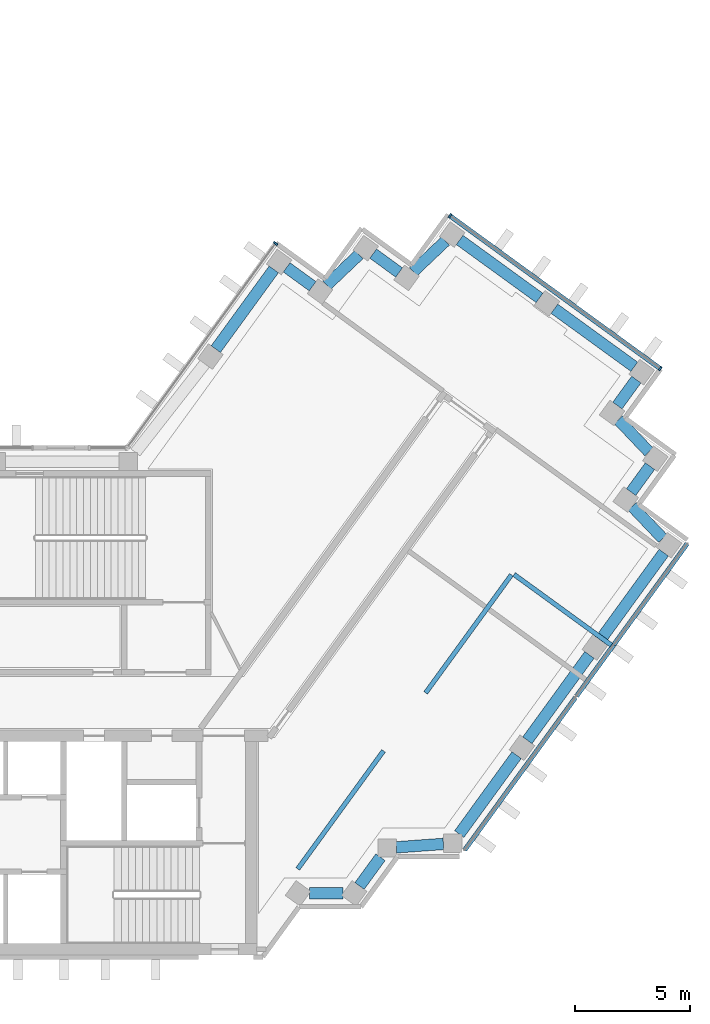
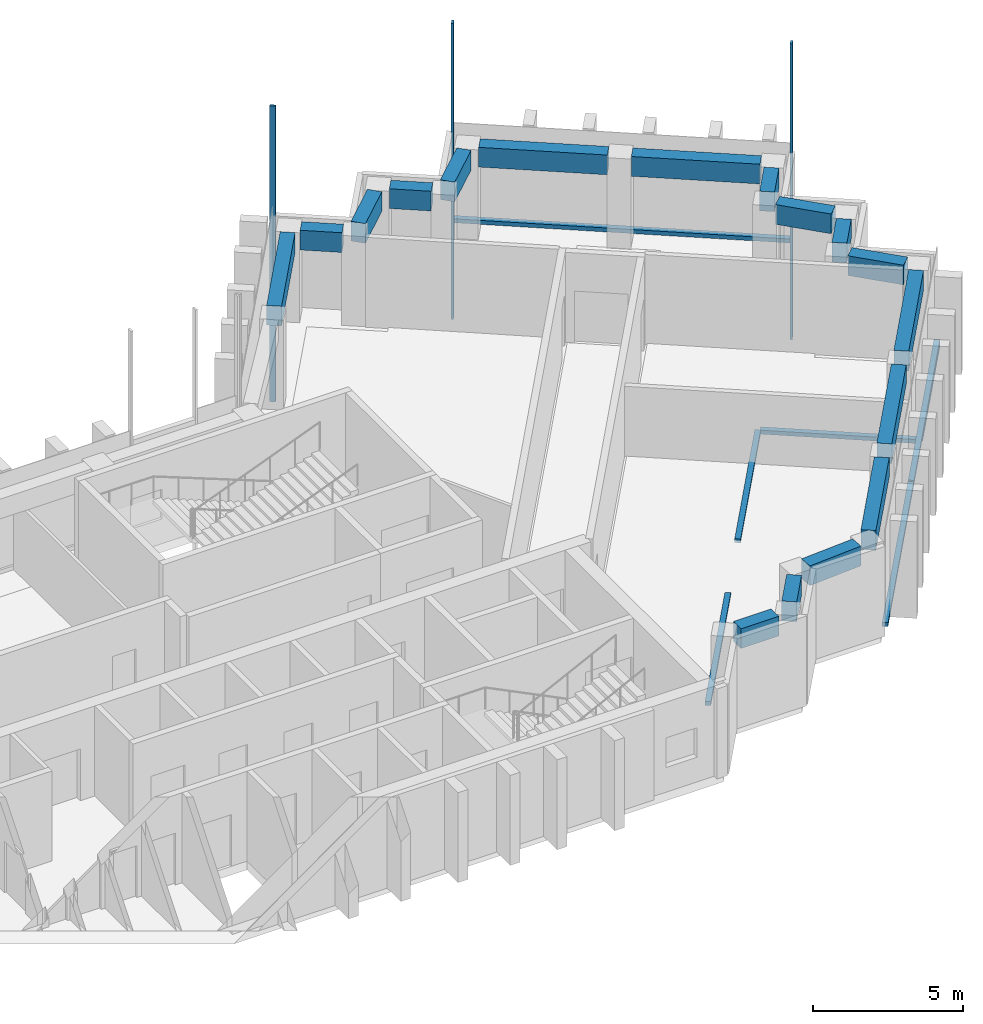
"""IFC4 building model written with IfcOpenShell, lengths in metres."""

import ifcopenshell
import ifcopenshell.guid

model = None  # the IFC model being written
_history = None  # IfcOwnerHistory: only IFC2X3 demands one
_inside = {}  # id of a spatial element -> (the spatial element, [elements in it])
_under = {}  # id of a project, library or spatial element -> (it, [spatial elements below it])
_declared = {}  # id of a project -> (the project, [libraries it declares])
_typed = {}  # id of a type object -> (the type object, [elements of that type])
_made_of = {}  # id of a material, layer set ... -> (it, [elements and type objects made of it])


def new_model(schema):
    """Start an empty IFC model of exactly this schema.

    Asked for "IFC4X3", IfcOpenShell would pick the latest addendum, in which some entities
    have other attributes; the version numbers below select the first issue.
    IFC2X3 requires an IfcOwnerHistory on every rooted entity: one is made here for all.
    """
    global model, _history
    if schema == "IFC4X3":
        model = ifcopenshell.file(schema_version=(4, 3, 0, 0))
    else:
        model = ifcopenshell.file(schema=schema)
    _inside.clear()
    _under.clear()
    _declared.clear()
    _typed.clear()
    _made_of.clear()
    _history = None
    if model.schema == "IFC2X3":
        org = make("IfcOrganization", Name="unknown")
        user = make(
            "IfcPersonAndOrganization",
            ThePerson=make("IfcPerson", FamilyName="unknown"),
            TheOrganization=org,
        )
        app = make(
            "IfcApplication",
            ApplicationDeveloper=org,
            Version="unknown",
            ApplicationFullName="unknown",
            ApplicationIdentifier="unknown",
        )
        _history = make(
            "IfcOwnerHistory",
            OwningUser=user,
            OwningApplication=app,
            ChangeAction="ADDED",
            CreationDate=0,
        )
    return model


def make(cls, **values):
    """One entity of the class cls with the attributes given. An attribute that is None is left unset."""
    return model.create_entity(
        cls, **{name: value for name, value in values.items() if value is not None}
    )


def rooted(cls, **values):
    """An entity with a GlobalId (a new one), such as an element, a storey or a relation."""
    return make(cls, GlobalId=ifcopenshell.guid.new(), OwnerHistory=_history, **values)


def si_unit(unit_type, name, prefix=None):
    """IfcSIUnit, for example si_unit("LENGTHUNIT", "METRE", prefix="MILLI")."""
    return make("IfcSIUnit", UnitType=unit_type, Prefix=prefix, Name=name)


def assignment(units):
    """IfcUnitAssignment: the units of a project."""
    return None if units is None else make("IfcUnitAssignment", Units=units)


def point(xyz):
    """IfcCartesianPoint."""
    return None if xyz is None else make("IfcCartesianPoint", Coordinates=xyz)


def direction(xyz):
    """IfcDirection."""
    return None if xyz is None else make("IfcDirection", DirectionRatios=xyz)


def frame(location, z_axis=None, x_axis=None):
    """IfcAxis2Placement3D, a coordinate frame: its origin and axes. An axis left out is left unset."""
    return make(
        "IfcAxis2Placement3D",
        Location=point(location),
        Axis=direction(z_axis),
        RefDirection=direction(x_axis),
    )


def frame_2d(location, x_axis=None):
    """IfcAxis2Placement2D, a coordinate frame in the plane: its origin and x axis."""
    return make(
        "IfcAxis2Placement2D", Location=point(location), RefDirection=direction(x_axis)
    )


def origin():
    """The frame at (0, 0, 0) with its axes left unset."""
    return frame((0.0, 0.0, 0.0))


def origin_2d():
    """The frame at (0, 0) in the plane with its x axis left unset."""
    return frame_2d((0.0, 0.0))


def place(relative_to, where):
    """IfcLocalPlacement: puts the frame where relative to a parent placement (None: the world)."""
    return make(
        "IfcLocalPlacement", PlacementRelTo=relative_to, RelativePlacement=where
    )


def context(
    kind, dimensions, precision=None, world=None, true_north=None, identifier=None
):
    """IfcGeometricRepresentationContext, for example the 3D "Model" context."""
    return make(
        "IfcGeometricRepresentationContext",
        ContextIdentifier=identifier,
        ContextType=kind,
        CoordinateSpaceDimension=dimensions,
        Precision=precision,
        WorldCoordinateSystem=world,
        TrueNorth=true_north,
    )


def subcontext(parent, identifier, kind, view, scale=None):
    """IfcGeometricRepresentationSubContext, for example "Body" below "Model"."""
    return make(
        "IfcGeometricRepresentationSubContext",
        ContextIdentifier=identifier,
        ContextType=kind,
        ParentContext=parent,
        TargetScale=scale,
        TargetView=view,
    )


def project(units=None, contexts=None):
    """IfcProject with its units and contexts."""
    return rooted(
        "IfcProject",
        Name="project",
        RepresentationContexts=contexts,
        UnitsInContext=assignment(units),
    )


def spatial(cls, under=None, at=None, **own):
    """A site, building, storey or space (cls), placed at a placement, below another one or the project."""
    s = rooted(cls, ObjectPlacement=at, **own)
    if under is not None:
        _under.setdefault(under.id(), (under, []))[1].append(s)
    return s


def profile(cls, at=None, kind="AREA", **sizes):
    """A parametric profile (cls). Its sizes go by their IFC names, for example OverallWidth=200.0."""
    return make(cls, ProfileType=kind, Position=at, **sizes)


def rectangle(**sizes):
    """IfcRectangleProfileDef."""
    return profile("IfcRectangleProfileDef", **sizes)


def extrude(swept, where, along, depth):
    """IfcExtrudedAreaSolid: the profile swept, set in the frame where, extruded along a direction by depth."""
    return make(
        "IfcExtrudedAreaSolid",
        SweptArea=swept,
        Position=where,
        ExtrudedDirection=direction(along),
        Depth=depth,
    )


def shape(context_of_items, identifier, shape_type, items):
    """IfcShapeRepresentation: the items that make up one representation, for example the "Body"."""
    return make(
        "IfcShapeRepresentation",
        ContextOfItems=context_of_items,
        RepresentationIdentifier=identifier,
        RepresentationType=shape_type,
        Items=items,
    )


def material(Name=None, Category=None):
    """IfcMaterial."""
    return make("IfcMaterial", Name=Name, Category=Category)


def material_profile(
    of_material, cross_section, Name=None, Category=None, Priority=None
):
    """IfcMaterialProfile: a cross section and its material."""
    return make(
        "IfcMaterialProfile",
        Name=Name,
        Material=of_material,
        Profile=cross_section,
        Priority=Priority,
        Category=Category,
    )


def profile_set(profiles, Name=None, composite=None):
    """IfcMaterialProfileSet."""
    return make(
        "IfcMaterialProfileSet",
        Name=Name,
        MaterialProfiles=profiles,
        CompositeProfile=composite,
    )


def made_of(thing, what):
    """Note that an element or type object is made of a material, layer set ...; save() writes the relation."""
    if what is not None:
        _made_of.setdefault(what.id(), (what, []))[1].append(thing)
    return thing


def type_object(cls, material=None, **own):
    """A type object (cls), such as IfcWallType, which elements share."""
    return made_of(rooted(cls, **own), material)


def element(
    cls,
    number,
    at=None,
    inside=None,
    cuts=None,
    type_object=None,
    material=None,
    context=None,
    identifier="Body",
    shape_type=None,
    held_by="IfcProductDefinitionShape",
    body=None,
    shapes=None,
    **own,
):
    """One element of the class cls, such as IfcWall. Its Tag is "e" and its number.

    at: its placement. inside: the storey or other place that contains it. cuts: it is an
    opening in that element (IfcRelVoidsElement). A single representation is given by context,
    identifier, shape_type and body (its items); several are given by shapes. held_by: the class
    of the entity that holds the representations. save() writes the other relations.
    """
    e = rooted(cls, Tag="e%d" % number, ObjectPlacement=at, **own)
    if body is not None:
        shapes = [shape(context, identifier, shape_type, body)]
    if shapes is not None:
        e.Representation = make(held_by, Representations=shapes)
    if inside is not None:
        _inside.setdefault(inside.id(), (inside, []))[1].append(e)
    if cuts is not None:
        rooted(
            "IfcRelVoidsElement", RelatingBuildingElement=cuts, RelatedOpeningElement=e
        )
    if type_object is not None:
        _typed.setdefault(type_object.id(), (type_object, []))[1].append(e)
    return made_of(e, material)


def aggregate(whole, parts):
    """IfcRelAggregates: a whole, such as a stair, and the parts it consists of."""
    return rooted("IfcRelAggregates", RelatingObject=whole, RelatedObjects=parts)


def save(model, path):
    """Write the relations noted so far, then the file.

    IfcRelAggregates (storeys below a building ...), IfcRelContainedInSpatialStructure (elements
    in a storey), IfcRelDefinesByType, IfcRelAssociatesMaterial and IfcRelDeclares: one each for
    every whole, place, type object, material and project.
    """
    for whole, parts in _under.values():
        aggregate(whole, parts)
    for where, things in _inside.values():
        rooted(
            "IfcRelContainedInSpatialStructure",
            RelatedElements=things,
            RelatingStructure=where,
        )
    for kind, things in _typed.values():
        rooted("IfcRelDefinesByType", RelatedObjects=things, RelatingType=kind)
    for what, things in _made_of.values():
        rooted("IfcRelAssociatesMaterial", RelatedObjects=things, RelatingMaterial=what)
    for by, libraries in _declared.values():
        rooted("IfcRelDeclares", RelatingContext=by, RelatedDefinitions=libraries)
    model.write(path)


model = new_model("IFC4")

# Units and contexts
model_context = context("Model", 3, precision=1e-05, world=origin(), true_north=direction((0.0, 1.0)))
body_context = subcontext(model_context, "Body", "Model", "MODEL_VIEW")
ifc_project = project(units=[si_unit("LENGTHUNIT", "METRE"), si_unit("AREAUNIT", "SQUARE_METRE"), si_unit("VOLUMEUNIT", "CUBIC_METRE"), si_unit("PLANEANGLEUNIT", "RADIAN"), si_unit("MASSUNIT", "GRAM", prefix="KILO")], contexts=[model_context])

# Site, building, storey
site_placement = place(None, origin())
site = spatial("IfcSite", under=ifc_project, at=site_placement, CompositionType="ELEMENT")
building_placement = place(site_placement, origin())
building = spatial("IfcBuilding", under=site, at=building_placement, Name="Quipu Civic Tower", CompositionType="ELEMENT")
storey_1_placement = place(building_placement, frame((0.0, 0.0, 210.0)))
storey_1 = spatial("IfcBuildingStorey", under=building, at=storey_1_placement, Name="L49", CompositionType="ELEMENT", Elevation=210.0)

# Curtain wall, members
ifc_material_1 = material(Name="Insulated glass unit", Category="glass")
curtain_wall_type = type_object("IfcCurtainWallType", Name="Office curtain wall CW1", PredefinedType="NOTDEFINED", material=ifc_material_1)
curtain_wall_1_placement = place(storey_1_placement, origin())
curtain_wall_1 = element("IfcCurtainWall", 1, at=curtain_wall_1_placement, inside=storey_1, type_object=curtain_wall_type, Name="Office curtain wall CW1 L48 run 28", PredefinedType="NOTDEFINED")
ifc_material_2 = material(Name="Anodised aluminium", Category="aluminium")
ifc_material_profile_1 = material_profile(ifc_material_2, rectangle(XDim=0.199951171875, YDim=0.080078125, at=origin_2d()), Name="RECT 200x80")
ifc_profile_set_1 = profile_set([ifc_material_profile_1], Name="Anodised aluminium")
member_type_1 = type_object("IfcMemberType", Name="Mullion CW1", PredefinedType="MULLION", material=ifc_profile_set_1)
member_1_placement = place(storey_1_placement, frame((37.569091796875, 14.552490234375, -3.919921875), z_axis=(0.0, 0.0, 1.0), x_axis=(-0.587787753918, -0.809015176832, 0.0)))
member_1 = element("IfcMember", 2, at=member_1_placement, type_object=member_type_1, Name="CW1 mullion 1", PredefinedType="MULLION", context=body_context, shape_type="SweptSolid", body=[
    extrude(rectangle(XDim=0.199951171875, YDim=0.080078125, at=origin_2d()), origin(), (0.0, 0.0, 1.0), 12.0),
])
member_2_placement = place(storey_1_placement, frame((28.4111328125, 21.206298828125, -3.919921875), z_axis=(0.0, 0.0, 1.0), x_axis=(-0.587787753918, -0.809015176832, 0.0)))
member_2 = element("IfcMember", 3, at=member_2_placement, type_object=member_type_1, Name="CW1 mullion 2", PredefinedType="MULLION", context=body_context, shape_type="SweptSolid", body=[
    extrude(rectangle(XDim=0.199951171875, YDim=0.080078125, at=origin_2d()), origin(), (0.0, 0.0, 1.0), 12.0),
])

# Curtain wall, member
curtain_wall_2_placement = place(storey_1_placement, origin())
curtain_wall_2 = element("IfcCurtainWall", 4, at=curtain_wall_2_placement, inside=storey_1, type_object=curtain_wall_type, Name="Office curtain wall CW1 L48 run 33", PredefinedType="NOTDEFINED")
member_3_placement = place(storey_1_placement, frame((20.8125, 20.002685546875, -3.919921875), z_axis=(0.0, 0.0, 1.0), x_axis=(0.809015163947, -0.587787771652, 0.0)))
member_3 = element("IfcMember", 5, at=member_3_placement, type_object=member_type_1, Name="CW1 mullion 1", PredefinedType="MULLION", context=body_context, shape_type="SweptSolid", body=[
    extrude(rectangle(XDim=0.199951171875, YDim=0.080078125, at=origin_2d()), origin(), (0.0, 0.0, 1.0), 12.0),
])
aggregate(curtain_wall_2, [member_3])

# Beams
ifc_material_3 = material(Name="Concrete C50/60", Category="concrete")
ifc_material_profile_2 = material_profile(ifc_material_3, rectangle(XDim=0.5, YDim=0.800048828125, at=origin_2d()), Name="RC500x800")
ifc_profile_set_2 = profile_set([ifc_material_profile_2], Name="Concrete C50/60")
beam_type = type_object("IfcBeamType", Name="Spandrel beam RC 500x800 C50/60", PredefinedType="SPANDREL", material=ifc_profile_set_2)
beam_1_placement = place(storey_1_placement, frame((22.2861328125, -8.31494140625, 3.25), z_axis=(1.0, 0.0, 0.0), x_axis=(0.0, 1.0, 0.0)))
element("IfcBeam", 6, at=beam_1_placement, inside=storey_1, type_object=beam_type, Name="Spandrel beam L49 J-Eo.1 to J-Eo.2", PredefinedType="SPANDREL", context=body_context, shape_type="SweptSolid", body=[
    extrude(rectangle(XDim=0.5, YDim=0.800048828125, at=origin_2d()), origin(), (0.0, 0.0, 1.0), 1.454345703125),
])
beam_2_placement = place(storey_1_placement, frame((24.470458984375, -7.991455078125, 3.25), z_axis=(0.588405601119, 0.808565920981, 0.0), x_axis=(-0.808565920981, 0.588405601119, 0.0)))
element("IfcBeam", 7, at=beam_2_placement, inside=storey_1, type_object=beam_type, Name="Spandrel beam L49 J-Eo.2 to J-Eo.3", PredefinedType="SPANDREL", context=body_context, shape_type="SweptSolid", body=[
    extrude(rectangle(XDim=0.5, YDim=0.800048828125, at=origin_2d()), origin(), (0.0, 0.0, 1.0), 1.55126953125),
])
beam_3_placement = place(storey_1_placement, frame((26.074462890625, -6.307861328125, 3.25), z_axis=(0.997372997143, 0.072436900614, 0.0), x_axis=(-0.072436900614, 0.997372997143, 0.0)))
element("IfcBeam", 8, at=beam_3_placement, inside=storey_1, type_object=beam_type, Name="Spandrel beam L49 J-Eo.3 to J-Eo.4", PredefinedType="SPANDREL", context=body_context, shape_type="SweptSolid", body=[
    extrude(rectangle(XDim=0.5, YDim=0.800048828125, at=origin_2d()), origin(), (0.0, 0.0, 1.0), 2.055908203125),
])
beam_4_placement = place(storey_1_placement, frame((28.815673828125, -5.72998046875, 3.25), z_axis=(0.58776850526, 0.809029161541, 0.0), x_axis=(-0.809029161541, 0.58776850526, 0.0)))
element("IfcBeam", 9, at=beam_4_placement, inside=storey_1, type_object=beam_type, Name="Spandrel beam L49 J-Eo.4 to E-OUT-01", PredefinedType="SPANDREL", context=body_context, shape_type="SweptSolid", body=[
    extrude(rectangle(XDim=0.5, YDim=0.800048828125, at=origin_2d()), origin(), (0.0, 0.0, 1.0), 4.249267578125),
])
beam_5_placement = place(storey_1_placement, frame((31.783447265625, -1.64501953125, 3.25), z_axis=(0.587796098864, 0.809009113768, 0.0), x_axis=(-0.809009113768, 0.587796098864, 0.0)))
element("IfcBeam", 10, at=beam_5_placement, inside=storey_1, type_object=beam_type, Name="Spandrel beam L49 E-OUT-01 to E-OUT-02", PredefinedType="SPANDREL", context=body_context, shape_type="SweptSolid", body=[
    extrude(rectangle(XDim=0.5, YDim=0.800048828125, at=origin_2d()), origin(), (0.0, 0.0, 1.0), 4.60009765625),
])
beam_6_placement = place(storey_1_placement, frame((34.95751953125, 2.7236328125, 3.25), z_axis=(0.587891029962, 0.808940131833, 0.0), x_axis=(-0.808940131833, 0.587891029962, 0.0)))
element("IfcBeam", 11, at=beam_6_placement, inside=storey_1, type_object=beam_type, Name="Spandrel beam L49 E-OUT-02 to T-Eo.0-E22", PredefinedType="SPANDREL", context=body_context, shape_type="SweptSolid", body=[
    extrude(rectangle(XDim=0.5, YDim=0.800048828125, at=origin_2d()), origin(), (0.0, 0.0, 1.0), 4.707275390625),
])
beam_7_placement = place(storey_1_placement, frame((37.6796875, 7.149658203125, 3.25), z_axis=(-0.689191109061, 0.724579612735, 0.0), x_axis=(-0.724579612735, -0.689191109061, 0.0)))
element("IfcBeam", 12, at=beam_7_placement, inside=storey_1, type_object=beam_type, Name="Spandrel beam L49 T-Eo.0-E22 to T-Eo.1-E22", PredefinedType="SPANDREL", context=body_context, shape_type="SweptSolid", body=[
    extrude(rectangle(XDim=0.5, YDim=0.800048828125, at=origin_2d()), origin(), (0.0, 0.0, 1.0), 1.931640625),
])
beam_8_placement = place(storey_1_placement, frame((36.302978515625, 9.16796875, 3.25), z_axis=(0.58725897397, 0.809399096547, 0.0), x_axis=(-0.809399096547, 0.58725897397, 0.0)))
element("IfcBeam", 13, at=beam_8_placement, inside=storey_1, type_object=beam_type, Name="Spandrel beam L49 T-Eo.1-E22 to T-Eo.2-E22", PredefinedType="SPANDREL", context=body_context, shape_type="SweptSolid", body=[
    extrude(rectangle(XDim=0.5, YDim=0.800048828125, at=origin_2d()), origin(), (0.0, 0.0, 1.0), 1.400146484375),
])
beam_9_placement = place(storey_1_placement, frame((37.080078125, 10.920166015625, 3.25), z_axis=(-0.688280901551, 0.725444278053, 0.0), x_axis=(-0.725444278053, -0.688280901551, 0.0)))
element("IfcBeam", 14, at=beam_9_placement, inside=storey_1, type_object=beam_type, Name="Spandrel beam L49 T-Eo.2-E22 to T-Eo.3-E22", PredefinedType="SPANDREL", context=body_context, shape_type="SweptSolid", body=[
    extrude(rectangle(XDim=0.5, YDim=0.800048828125, at=origin_2d()), origin(), (0.0, 0.0, 1.0), 1.931396484375),
])
beam_10_placement = place(storey_1_placement, frame((35.7060546875, 12.93994140625, 3.25), z_axis=(0.58841024035, 0.808562544922, 0.0), x_axis=(-0.808562544922, 0.58841024035, 0.0)))
element("IfcBeam", 15, at=beam_10_placement, inside=storey_1, type_object=beam_type, Name="Spandrel beam L49 T-Eo.3-E22 to T-Eo.4-E22", PredefinedType="SPANDREL", context=body_context, shape_type="SweptSolid", body=[
    extrude(rectangle(XDim=0.5, YDim=0.800048828125, at=origin_2d()), origin(), (0.0, 0.0, 1.0), 1.3994140625),
])
beam_11_placement = place(storey_1_placement, frame((36.44140625, 14.630126953125, 3.25), z_axis=(-0.809153076016, 0.587597906373, 0.0), x_axis=(-0.587597906373, -0.809153076016, 0.0)))
element("IfcBeam", 16, at=beam_11_placement, inside=storey_1, type_object=beam_type, Name="Spandrel beam L49 T-Eo.4-E22 to TIP-E-01-E22", PredefinedType="SPANDREL", context=body_context, shape_type="SweptSolid", body=[
    extrude(rectangle(XDim=0.5, YDim=0.800048828125, at=origin_2d()), origin(), (0.0, 0.0, 1.0), 4.302001953125),
])
beam_12_placement = place(storey_1_placement, frame((32.313232421875, 17.6279296875, 3.25), z_axis=(-0.80911644178, 0.587648350327, 0.0), x_axis=(-0.587648350327, -0.80911644178, 0.0)))
element("IfcBeam", 17, at=beam_12_placement, inside=storey_1, type_object=beam_type, Name="Spandrel beam L49 TIP-E-01-E22 to T-Ei.0-E22", PredefinedType="SPANDREL", context=body_context, shape_type="SweptSolid", body=[
    extrude(rectangle(XDim=0.5, YDim=0.800048828125, at=origin_2d()), origin(), (0.0, 0.0, 1.0), 4.30029296875),
])
beam_13_placement = place(storey_1_placement, frame((28.21484375, 20.10986328125, 3.25), z_axis=(-0.725384387405, -0.688344020464, 0.0), x_axis=(0.688344020464, -0.725384387405, 0.0)))
element("IfcBeam", 18, at=beam_13_placement, inside=storey_1, type_object=beam_type, Name="Spandrel beam L49 T-Ei.0-E22 to T-Ei.1-E22", PredefinedType="SPANDREL", context=body_context, shape_type="SweptSolid", body=[
    extrude(rectangle(XDim=0.5, YDim=0.800048828125, at=origin_2d()), origin(), (0.0, 0.0, 1.0), 1.93115234375),
])
beam_14_placement = place(storey_1_placement, frame((26.195556640625, 18.73583984375, 3.25), z_axis=(-0.808600329101, 0.588358315805, 0.0), x_axis=(-0.588358315805, -0.808600329101, 0.0)))
element("IfcBeam", 19, at=beam_14_placement, inside=storey_1, type_object=beam_type, Name="Spandrel beam L49 T-Ei.1-E22 to T-Ei.2-E22", PredefinedType="SPANDREL", context=body_context, shape_type="SweptSolid", body=[
    extrude(rectangle(XDim=0.5, YDim=0.800048828125, at=origin_2d()), origin(), (0.0, 0.0, 1.0), 1.400146484375),
])
beam_15_placement = place(storey_1_placement, frame((24.445068359375, 19.514892578125, 3.25), z_axis=(-0.72506883804, -0.688676397232, 0.0), x_axis=(0.688676397232, -0.72506883804, 0.0)))
element("IfcBeam", 20, at=beam_15_placement, inside=storey_1, type_object=beam_type, Name="Spandrel beam L49 T-Ei.2-E22 to T-Ei.3-E22", PredefinedType="SPANDREL", context=body_context, shape_type="SweptSolid", body=[
    extrude(rectangle(XDim=0.5, YDim=0.800048828125, at=origin_2d()), origin(), (0.0, 0.0, 1.0), 1.93212890625),
])
beam_16_placement = place(storey_1_placement, frame((22.425537109375, 18.13916015625, 3.25), z_axis=(-0.809452764948, 0.587184997524, 0.0), x_axis=(-0.587184997524, -0.809452764948, 0.0)))
element("IfcBeam", 21, at=beam_16_placement, inside=storey_1, type_object=beam_type, Name="Spandrel beam L49 T-Ei.3-E22 to T-Ei.4-E22", PredefinedType="SPANDREL", context=body_context, shape_type="SweptSolid", body=[
    extrude(rectangle(XDim=0.5, YDim=0.800048828125, at=origin_2d()), origin(), (0.0, 0.0, 1.0), 1.398193359375),
])
beam_17_placement = place(storey_1_placement, frame((20.734619140625, 18.87158203125, 3.25), z_axis=(-0.58812775221, -0.808768042816, 0.0), x_axis=(0.808768042816, -0.58812775221, 0.0)))
element("IfcBeam", 22, at=beam_17_placement, inside=storey_1, type_object=beam_type, Name="Spandrel beam L49 T-Ei.4-E22 to E-IN-01", PredefinedType="SPANDREL", context=body_context, shape_type="SweptSolid", body=[
    extrude(rectangle(XDim=0.5, YDim=0.800048828125, at=origin_2d()), origin(), (0.0, 0.0, 1.0), 4.29443359375),
])

# Storey
storey_2_placement = place(building_placement, frame((0.0, 0.0, 206.0)))
storey_2 = spatial("IfcBuildingStorey", under=building, at=storey_2_placement, Name="L48", CompositionType="ELEMENT", Elevation=206.0)

# Curtain wall, member
curtain_wall_3_placement = place(storey_2_placement, origin())
curtain_wall_3 = element("IfcCurtainWall", 23, at=curtain_wall_3_placement, inside=storey_2, type_object=curtain_wall_type, Name="Office curtain wall CW1 L48 run 3", PredefinedType="NOTDEFINED")
ifc_material_4 = material(Name="Anodised aluminium", Category="aluminium")
ifc_material_profile_3 = material_profile(ifc_material_4, rectangle(XDim=0.199951171875, YDim=0.159912109375, at=origin_2d()), Name="RECT 200x160")
ifc_profile_set_3 = profile_set([ifc_material_profile_3], Name="Anodised aluminium")
member_type_2 = type_object("IfcMemberType", Name="Transom CW1", PredefinedType="USERDEFINED", material=ifc_profile_set_3)
member_4_placement = place(storey_1_placement, frame((21.7783203125, -7.25, 0.0), z_axis=(0.587760684466, 0.809034843375, 0.0), x_axis=(-0.809034843375, 0.587760684466, 0.0)))
member_4 = element("IfcMember", 24, at=member_4_placement, inside=storey_1, type_object=member_type_2, Name="CW1 transom 1.2", ObjectType="TRANSOM", PredefinedType="USERDEFINED", context=body_context, shape_type="SweptSolid", body=[
    extrude(rectangle(XDim=0.199951171875, YDim=0.159912109375, at=origin_2d()), origin(), (0.0, 0.0, 1.0), 6.358642578125),
])
aggregate(curtain_wall_3, [member_4])

curtain_wall_4_placement = place(storey_2_placement, origin())
curtain_wall_4 = element("IfcCurtainWall", 25, at=curtain_wall_4_placement, inside=storey_2, type_object=curtain_wall_type, Name="Office curtain wall CW1 L48 run 5", PredefinedType="NOTDEFINED")
member_5_placement = place(storey_1_placement, frame((27.351318359375, 0.420654296875, 0.0), z_axis=(0.587785815007, 0.809016585539, 0.0), x_axis=(-0.809016585539, 0.587785815007, 0.0)))
member_5 = element("IfcMember", 26, at=member_5_placement, inside=storey_1, type_object=member_type_2, Name="CW1 transom 1.2", ObjectType="TRANSOM", PredefinedType="USERDEFINED", context=body_context, shape_type="SweptSolid", body=[
    extrude(rectangle(XDim=0.199951171875, YDim=0.159912109375, at=origin_2d()), origin(), (0.0, 0.0, 1.0), 6.358642578125),
])
aggregate(curtain_wall_4, [member_5])

curtain_wall_5_placement = place(storey_2_placement, origin())
curtain_wall_5 = element("IfcCurtainWall", 27, at=curtain_wall_5_placement, inside=storey_2, type_object=curtain_wall_type, Name="Office curtain wall CW1 L48 run 6", PredefinedType="NOTDEFINED")
member_6_placement = place(storey_1_placement, frame((31.200439453125, 5.582763671875, 0.0), z_axis=(0.809010003307, -0.587794874552, 0.0), x_axis=(0.587794874552, 0.809010003307, 0.0)))
member_6 = element("IfcMember", 28, at=member_6_placement, inside=storey_1, type_object=member_type_2, Name="CW1 transom 1.2", ObjectType="TRANSOM", PredefinedType="USERDEFINED", context=body_context, shape_type="SweptSolid", body=[
    extrude(rectangle(XDim=0.199951171875, YDim=0.159912109375, at=origin_2d()), origin(), (0.0, 0.0, 1.0), 5.239990234375),
])
aggregate(curtain_wall_5, [member_6])

curtain_wall_6_placement = place(storey_2_placement, origin())
curtain_wall_6 = element("IfcCurtainWall", 29, at=curtain_wall_6_placement, inside=storey_2, type_object=curtain_wall_type, Name="Office curtain wall CW1 L48 run 7", PredefinedType="NOTDEFINED")
member_7_placement = place(storey_1_placement, frame((35.551513671875, 2.5205078125, 0.0), z_axis=(0.587795368516, 0.809009644412, 0.0), x_axis=(-0.809009644412, 0.587795368516, 0.0)))
member_7 = element("IfcMember", 30, at=member_7_placement, inside=storey_1, type_object=member_type_2, Name="CW1 transom 1.2", ObjectType="TRANSOM", PredefinedType="USERDEFINED", context=body_context, shape_type="SweptSolid", body=[
    extrude(rectangle(XDim=0.199951171875, YDim=0.159912109375, at=origin_2d()), origin(), (0.0, 0.0, 1.0), 5.43994140625),
])
aggregate(curtain_wall_6, [member_7])

# Member
member_8_placement = place(storey_1_placement, frame((37.536865234375, 14.575927734375, 0.080078125), z_axis=(-0.809022463805, 0.587777724194, 0.0), x_axis=(-0.587777724194, -0.809022463805, 0.0)))
member_8 = element("IfcMember", 31, at=member_8_placement, type_object=member_type_2, Name="CW1 transom 1.2", ObjectType="TRANSOM", PredefinedType="USERDEFINED", context=body_context, shape_type="SweptSolid", body=[
    extrude(rectangle(XDim=0.199951171875, YDim=0.159912109375, at=origin_2d()), origin(), (0.0, 0.0, 1.0), 11.240234375),
])

aggregate(curtain_wall_1, [member_1, member_2, member_8])

# Storey
storey_3_placement = place(building_placement, frame((0.0, 0.0, 214.0)))
storey_3 = spatial("IfcBuildingStorey", under=building, at=storey_3_placement, Name="L50", CompositionType="ELEMENT", Elevation=214.0)

# Curtain wall, members
curtain_wall_7_placement = place(storey_3_placement, origin())
curtain_wall_7 = element("IfcCurtainWall", 32, at=curtain_wall_7_placement, inside=storey_3, type_object=curtain_wall_type, Name="Office curtain wall CW1 L49 run 4", PredefinedType="NOTDEFINED")
member_9_placement = place(storey_1_placement, frame((29.052978515625, -6.424072265625, 0.159912109375), z_axis=(0.587780770372, 0.809020250662, 0.0), x_axis=(-0.809020250662, 0.587780770372, 0.0)))
member_9 = element("IfcMember", 33, at=member_9_placement, inside=storey_1, type_object=member_type_2, Name="CW1 transom 1.1", ObjectType="TRANSOM", PredefinedType="USERDEFINED", context=body_context, shape_type="SweptSolid", body=[
    extrude(rectangle(XDim=0.199951171875, YDim=0.159912109375, at=origin_2d()), origin(), (0.0, 0.0, 1.0), 8.2080078125),
])
member_10_placement = place(storey_1_placement, frame((33.924560546875, 0.281005859375, 0.159912109375), z_axis=(0.587780770372, 0.809020250662, 0.0), x_axis=(-0.809020250662, 0.587780770372, 0.0)))
member_10 = element("IfcMember", 34, at=member_10_placement, inside=storey_1, type_object=member_type_2, Name="CW1 transom 2.1", ObjectType="TRANSOM", PredefinedType="USERDEFINED", context=body_context, shape_type="SweptSolid", body=[
    extrude(rectangle(XDim=0.199951171875, YDim=0.159912109375, at=origin_2d()), origin(), (0.0, 0.0, 1.0), 8.2080078125),
])
aggregate(curtain_wall_7, [member_9, member_10])

save(model, "model.ifc")
